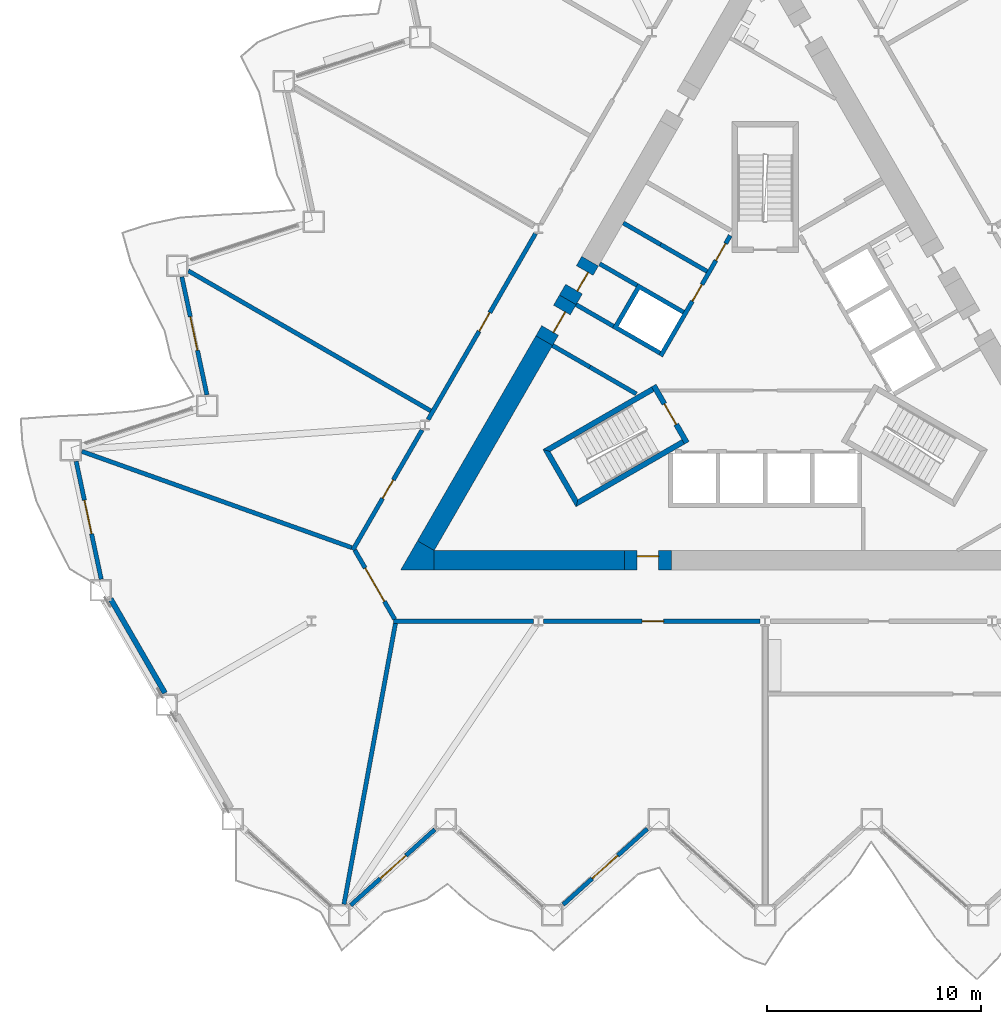
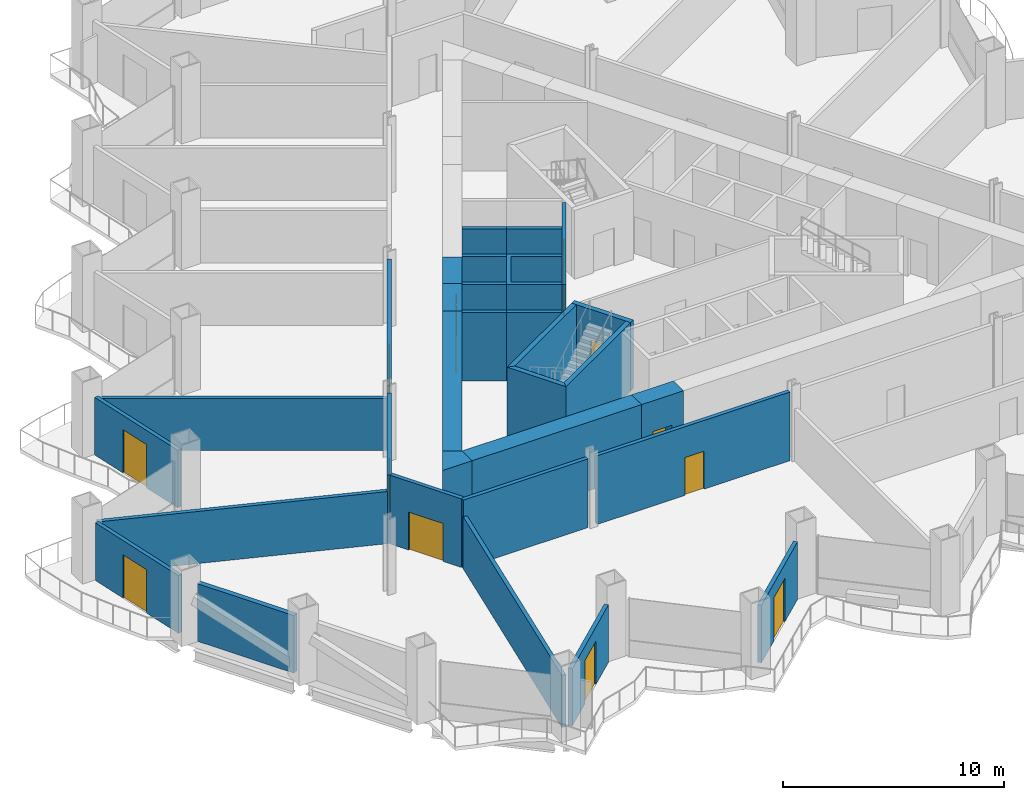
# One storey, part 9 of 21: 31 walls, 14 doors, 14 openings.
"""IFC4 building model written with IfcOpenShell, lengths in metres."""

from ifc_helpers import new_model, si_unit, direction, frame, frame_2d, origin, place, context, subcontext, project, spatial, polyline, rectangle, outline, extrude, material, layer, layer_set, type_object, element, fill, save


model = new_model("IFC4")

# Units and contexts
model_context = context("Model", 3, precision=1e-05, world=origin(), true_north=direction((0.0, 1.0)))
body_context = subcontext(model_context, "Body", "Model", "MODEL_VIEW")
ifc_project = project(units=[si_unit("LENGTHUNIT", "METRE"), si_unit("AREAUNIT", "SQUARE_METRE"), si_unit("VOLUMEUNIT", "CUBIC_METRE"), si_unit("PLANEANGLEUNIT", "RADIAN"), si_unit("MASSUNIT", "GRAM", prefix="KILO")], contexts=[model_context])

# Site, building, storey
site_placement = place(None, origin())
site = spatial("IfcSite", under=ifc_project, at=site_placement, CompositionType="ELEMENT")
building_placement = place(site_placement, origin())
building = spatial("IfcBuilding", under=site, at=building_placement, Name="Cormorant Prow Tower", CompositionType="ELEMENT")
storey_placement = place(building_placement, frame((0.0, 0.0, 76.199951171875)))
storey = spatial("IfcBuildingStorey", under=building, at=storey_placement, Name="L16", CompositionType="ELEMENT", Elevation=76.199951171875)

# Walls
ifc_material_1 = material(Name="Concrete 8000 psi", Category="concrete")
ifc_layer_1 = layer(ifc_material_1, 0.89990234375)
ifc_layer_set_1 = layer_set([ifc_layer_1], Name="Concrete 8000 psi")
wall_type_1 = type_object("IfcWallType", Name="Core shear wall 900", PredefinedType="SHEAR", material=ifc_layer_set_1)
wall_1_placement = place(storey_placement, frame((-15.441162109375, -9.364990234375, 0.0), z_axis=(0.0, 0.0, 1.0), x_axis=(1.0, 0.0, 0.0)))
element("IfcWall", 1, at=wall_1_placement, inside=storey, type_object=wall_type_1, Name="Core wall", PredefinedType="SHEAR", context=body_context, shape_type="SweptSolid", body=[
    extrude(rectangle(XDim=8.87060546875, YDim=0.89990234375, at=frame_2d((4.435302734375, 0.0))), origin(), (0.0, 0.0, 1.0), 3.800048828125),
])
wall_2_placement = place(storey_placement, frame((-10.310302734375, 0.8720703125, 0.0), z_axis=(0.0, 0.0, 1.0), x_axis=(-0.499991697393, -0.866030197244, 0.0)))
element("IfcWall", 2, at=wall_2_placement, inside=storey, type_object=wall_type_1, Name="Core wall", PredefinedType="SHEAR", context=body_context, shape_type="SweptSolid", body=[
    extrude(rectangle(XDim=11.041259765625, YDim=0.89990234375, at=frame_2d((5.5205078125, 0.0))), origin(), (0.0, 0.0, 1.0), 3.800048828125),
])
wall_3_placement = place(storey_placement, origin())
element("IfcWall", 3, at=wall_3_placement, inside=storey, type_object=wall_type_1, Name="Core wall corner", PredefinedType="SHEAR", context=body_context, shape_type="SweptSolid", body=[
    extrude(outline(polyline([(-16.220703125, -8.465087890625), (-15.441162109375, -8.9150390625), (-15.441162109375, -9.81494140625), (-17.0, -9.81494140625), (-16.220703125, -8.465087890625)])), origin(), (0.0, 0.0, 1.0), 3.800048828125),
])

# Wall, opening, door
wall_4_placement = place(storey_placement, frame((-6.570556640625, -9.364990234375, 0.0), z_axis=(0.0, 0.0, 1.0), x_axis=(1.0, 0.0, 0.0)))
wall_4 = element("IfcWall", 4, at=wall_4_placement, inside=storey, type_object=wall_type_1, Name="Core wall door panel", PredefinedType="SHEAR", context=body_context, shape_type="SweptSolid", body=[
    extrude(rectangle(XDim=2.199951171875, YDim=0.89990234375, at=frame_2d((1.10009765625, 0.0))), origin(), (0.0, 0.0, 1.0), 3.800048828125),
])
opening_1_placement = place(wall_4_placement, frame((0.60009765625, 0.0, 0.0)))
opening_1 = element("IfcOpeningElement", 5, at=opening_1_placement, cuts=wall_4, Name="Opening L16-C16", PredefinedType="OPENING", context=body_context, shape_type="SweptSolid", body=[
    extrude(rectangle(XDim=1.0, YDim=2.10009765625, at=frame_2d((0.5, 1.050048828125))), frame((0.0, 0.4599609375, 0.0), z_axis=(0.0, -1.0, 0.0), x_axis=(1.0, 0.0, 0.0)), (0.0, 0.0, 1.0), 0.919921875),
])
ifc_material_2 = material(Name="Painted steel", Category="steel")
door_type_1 = type_object("IfcDoorType", Name="Service door 1000x2100", OperationType="NOTDEFINED", PredefinedType="DOOR", material=ifc_material_2)
door_1_placement = place(opening_1_placement, origin())
door_1 = element("IfcDoor", 6, at=door_1_placement, inside=storey, type_object=door_type_1, Name="Core door, Pantry store", OperationType="SINGLE_SWING_RIGHT", OverallHeight=2.10009765625, OverallWidth=1.0, PredefinedType="DOOR", context=body_context, shape_type="SweptSolid", body=[
    extrude(rectangle(XDim=1.0, YDim=2.10009765625, at=frame_2d((0.5, 1.050048828125))), frame((0.0, 0.205078125, 0.0), z_axis=(0.0, -1.0, 0.0), x_axis=(1.0, 0.0, 0.0)), (0.0, 0.0, 1.0), 0.050048828125),
])
fill(opening_1, door_1)

wall_5_placement = place(storey_placement, frame((-8.17041015625, 4.57861328125, 0.0), z_axis=(0.0, 0.0, 1.0), x_axis=(-0.499888406853, -0.866089822532, 0.0)))
wall_5 = element("IfcWall", 7, at=wall_5_placement, inside=storey, type_object=wall_type_1, Name="Core wall door panel", PredefinedType="SHEAR", context=body_context, shape_type="SweptSolid", body=[
    extrude(rectangle(XDim=2.080078125, YDim=0.89990234375, at=frame_2d((1.0400390625, 0.0))), origin(), (0.0, 0.0, 1.0), 3.800048828125),
])
opening_2_placement = place(wall_5_placement, frame((0.5, 0.0, 0.0)))
opening_2 = element("IfcOpeningElement", 8, at=opening_2_placement, cuts=wall_5, Name="Opening L16-C19", PredefinedType="OPENING", context=body_context, shape_type="SweptSolid", body=[
    extrude(rectangle(XDim=1.0, YDim=2.10009765625, at=frame_2d((0.5, 1.050048828125))), frame((0.0, 0.4599609375, 0.0), z_axis=(0.0, -1.0, 0.0), x_axis=(1.0, 0.0, 0.0)), (0.0, 0.0, 1.0), 0.919921875),
])
door_2_placement = place(opening_2_placement, origin())
door_2 = element("IfcDoor", 9, at=door_2_placement, inside=storey, type_object=door_type_1, Name="Core door, Telecom room", OperationType="SINGLE_SWING_LEFT", OverallHeight=2.10009765625, OverallWidth=1.0, PredefinedType="DOOR", context=body_context, shape_type="SweptSolid", body=[
    extrude(rectangle(XDim=1.0, YDim=2.10009765625, at=frame_2d((0.5, 1.050048828125))), frame((0.0, 0.205078125, 0.0), z_axis=(0.0, -1.0, 0.0), x_axis=(1.0, 0.0, 0.0)), (0.0, 0.0, 1.0), 0.050048828125),
])
fill(opening_2, door_2)

wall_6_placement = place(storey_placement, frame((-9.210205078125, 2.777099609375, 0.0), z_axis=(0.0, 0.0, 1.0), x_axis=(-0.500077893725, -0.86598042715, 0.0)))
wall_6 = element("IfcWall", 10, at=wall_6_placement, inside=storey, type_object=wall_type_1, Name="Core wall door panel", PredefinedType="SHEAR", context=body_context, shape_type="SweptSolid", body=[
    extrude(rectangle(XDim=2.199951171875, YDim=0.89990234375, at=frame_2d((1.10009765625, 0.0))), origin(), (0.0, 0.0, 1.0), 3.800048828125),
])
opening_3_placement = place(wall_6_placement, frame((0.550048828125, 0.0, 0.0)))
opening_3 = element("IfcOpeningElement", 11, at=opening_3_placement, cuts=wall_6, Name="Opening L16-C23", PredefinedType="OPENING", context=body_context, shape_type="SweptSolid", body=[
    extrude(rectangle(XDim=1.10009765625, YDim=2.10009765625, at=frame_2d((0.550048828125, 1.050048828125))), frame((0.0, 0.4599609375, 0.0), z_axis=(0.0, -1.0, 0.0), x_axis=(1.0, 0.0, 0.0)), (0.0, 0.0, 1.0), 0.919921875),
])
ifc_material_3 = material(Name="Painted steel", Category="steel")
door_type_2 = type_object("IfcDoorType", Name="Core door 1100x2100", OperationType="NOTDEFINED", PredefinedType="DOOR", material=ifc_material_3)
door_3_placement = place(opening_3_placement, origin())
door_3 = element("IfcDoor", 12, at=door_3_placement, inside=storey, type_object=door_type_2, Name="Core door, lift lobby", OperationType="SINGLE_SWING_RIGHT", OverallHeight=2.10009765625, OverallWidth=1.10009765625, PredefinedType="DOOR", context=body_context, shape_type="SweptSolid", body=[
    extrude(rectangle(XDim=1.10009765625, YDim=2.10009765625, at=frame_2d((0.550048828125, 1.050048828125))), frame((0.0, 0.205078125, 0.0), z_axis=(0.0, -1.0, 0.0), x_axis=(1.0, 0.0, 0.0)), (0.0, 0.0, 1.0), 0.050048828125),
])
fill(opening_3, door_3)

ifc_material_4 = material(Name="Gypsum board corridor wall")
ifc_layer_2 = layer(ifc_material_4, 0.199951171875)
ifc_layer_set_2 = layer_set([ifc_layer_2], Name="Gypsum board corridor wall")
wall_type_2 = type_object("IfcWallType", Name="Corridor wall 200", PredefinedType="PARTITIONING", material=ifc_layer_set_2)
wall_7_placement = place(storey_placement, frame((-10.336181640625, -12.215087890625, 0.0), z_axis=(0.0, 0.0, 1.0), x_axis=(1.0, 0.0, 0.0)))
wall_7 = element("IfcWall", 13, at=wall_7_placement, inside=storey, type_object=wall_type_2, Name="Corridor wall", PredefinedType="PARTITIONING", context=body_context, shape_type="SweptSolid", body=[
    extrude(rectangle(XDim=10.093994140625, YDim=0.199951171875, at=frame_2d((5.046875, 0.0))), origin(), (0.0, 0.0, 1.0), 3.800048828125),
])
opening_4_placement = place(wall_7_placement, frame((4.597412109375, 0.0, 0.0)))
opening_4 = element("IfcOpeningElement", 14, at=opening_4_placement, cuts=wall_7, Name="Opening L16-F01", PredefinedType="OPENING", context=body_context, shape_type="SweptSolid", body=[
    extrude(rectangle(XDim=1.0, YDim=2.10009765625, at=frame_2d((0.5, 1.050048828125))), frame((0.0, 0.10986328125, 0.0), z_axis=(0.0, -1.0, 0.0), x_axis=(1.0, 0.0, 0.0)), (0.0, 0.0, 1.0), 0.219970703125),
])
ifc_material_5 = material(Name="Timber door leaf", Category="wood")
door_type_3 = type_object("IfcDoorType", Name="Office door 1000x2100", OperationType="NOTDEFINED", PredefinedType="DOOR", material=ifc_material_5)
door_4_placement = place(opening_4_placement, origin())
door_4 = element("IfcDoor", 15, at=door_4_placement, inside=storey, type_object=door_type_3, Name="Tenant suite door", OperationType="SINGLE_SWING_LEFT", OverallHeight=2.10009765625, OverallWidth=1.0, PredefinedType="DOOR", context=body_context, shape_type="SweptSolid", body=[
    extrude(rectangle(XDim=1.0, YDim=2.10009765625, at=frame_2d((0.5, 1.050048828125))), frame((0.0, 0.02490234375, 0.0), z_axis=(0.0, -1.0, 0.0), x_axis=(1.0, 0.0, 0.0)), (0.0, 0.0, 1.0), 0.050048828125),
])
fill(opening_4, door_4)

wall_8_placement = place(storey_placement, frame((-15.727783203125, -2.811279296875, 0.0), z_axis=(0.0, 0.0, 1.0), x_axis=(0.49999175339, 0.866030164915, 0.0)))
wall_8 = element("IfcWall", 16, at=wall_8_placement, inside=storey, type_object=wall_type_2, Name="Corridor wall", PredefinedType="PARTITIONING", context=body_context, shape_type="SweptSolid", body=[
    extrude(rectangle(XDim=10.018798828125, YDim=0.199951171875, at=frame_2d((5.00927734375, 0.0))), origin(), (0.0, 0.0, 1.0), 3.800048828125),
])
opening_5_placement = place(wall_8_placement, frame((4.760009765625, 0.0, 0.0)))
opening_5 = element("IfcOpeningElement", 17, at=opening_5_placement, cuts=wall_8, Name="Opening L16-F15", PredefinedType="OPENING", context=body_context, shape_type="SweptSolid", body=[
    extrude(rectangle(XDim=1.0, YDim=2.10009765625, at=frame_2d((0.5, 1.050048828125))), frame((0.0, 0.10986328125, 0.0), z_axis=(0.0, -1.0, 0.0), x_axis=(1.0, 0.0, 0.0)), (0.0, 0.0, 1.0), 0.219970703125),
])
door_5_placement = place(opening_5_placement, origin())
door_5 = element("IfcDoor", 18, at=door_5_placement, inside=storey, type_object=door_type_3, Name="Co-working room door", OperationType="SINGLE_SWING_LEFT", OverallHeight=2.10009765625, OverallWidth=1.0, PredefinedType="DOOR", context=body_context, shape_type="SweptSolid", body=[
    extrude(rectangle(XDim=1.0, YDim=2.10009765625, at=frame_2d((0.5, 1.050048828125))), frame((0.0, 0.02490234375, 0.0), z_axis=(0.0, -1.0, 0.0), x_axis=(1.0, 0.0, 0.0)), (0.0, 0.0, 1.0), 0.050048828125),
])
fill(opening_5, door_5)

# Wall
wall_9_placement = place(storey_placement, frame((-17.330810546875, -12.215087890625, 0.0), z_axis=(0.0, 0.0, 1.0), x_axis=(1.0, 0.0, 0.0)))
element("IfcWall", 19, at=wall_9_placement, inside=storey, type_object=wall_type_2, Name="Corridor wall", PredefinedType="PARTITIONING", context=body_context, shape_type="SweptSolid", body=[
    extrude(rectangle(XDim=6.510009765625, YDim=0.199951171875, at=frame_2d((3.2548828125, 0.0))), origin(), (0.0, 0.0, 1.0), 3.800048828125),
])

# Wall, opening, door
wall_10_placement = place(storey_placement, frame((-19.243896484375, -8.901611328125, 0.0), z_axis=(0.0, 0.0, 1.0), x_axis=(0.499984737558, 0.86603421538, 0.0)))
wall_10 = element("IfcWall", 20, at=wall_10_placement, inside=storey, type_object=wall_type_2, Name="Corridor wall", PredefinedType="PARTITIONING", context=body_context, shape_type="SweptSolid", body=[
    extrude(rectangle(XDim=6.472900390625, YDim=0.199951171875, at=frame_2d((3.236328125, 0.0))), origin(), (0.0, 0.0, 1.0), 3.800048828125),
])
opening_6_placement = place(wall_10_placement, frame((2.787109375, 0.0, 0.0)))
opening_6 = element("IfcOpeningElement", 21, at=opening_6_placement, cuts=wall_10, Name="Opening L16-F16", PredefinedType="OPENING", context=body_context, shape_type="SweptSolid", body=[
    extrude(rectangle(XDim=1.0, YDim=2.10009765625, at=frame_2d((0.5, 1.050048828125))), frame((0.0, 0.10986328125, 0.0), z_axis=(0.0, -1.0, 0.0), x_axis=(1.0, 0.0, 0.0)), (0.0, 0.0, 1.0), 0.219970703125),
])
door_6_placement = place(opening_6_placement, origin())
door_6 = element("IfcDoor", 22, at=door_6_placement, inside=storey, type_object=door_type_3, Name="Tenant suite door", OperationType="SINGLE_SWING_LEFT", OverallHeight=2.10009765625, OverallWidth=1.0, PredefinedType="DOOR", context=body_context, shape_type="SweptSolid", body=[
    extrude(rectangle(XDim=1.0, YDim=2.10009765625, at=frame_2d((0.5, 1.050048828125))), frame((0.0, 0.02490234375, 0.0), z_axis=(0.0, -1.0, 0.0), x_axis=(1.0, 0.0, 0.0)), (0.0, 0.0, 1.0), 0.050048828125),
])
fill(opening_6, door_6)

wall_11_placement = place(storey_placement, frame((-19.143798828125, -8.901611328125, 0.0), z_axis=(0.0, 0.0, 1.0), x_axis=(0.499958791762, -0.866049194065, 0.0)))
wall_11 = element("IfcWall", 23, at=wall_11_placement, inside=storey, type_object=wall_type_2, Name="Corridor wall", PredefinedType="PARTITIONING", context=body_context, shape_type="SweptSolid", body=[
    extrude(rectangle(XDim=3.725830078125, YDim=0.199951171875, at=frame_2d((1.86279296875, 0.0))), origin(), (0.0, 0.0, 1.0), 3.800048828125),
])
opening_7_placement = place(wall_11_placement, frame((0.962890625, 0.0, 0.0)))
opening_7 = element("IfcOpeningElement", 24, at=opening_7_placement, cuts=wall_11, Name="Opening L16-F17", PredefinedType="OPENING", context=body_context, shape_type="SweptSolid", body=[
    extrude(rectangle(XDim=1.800048828125, YDim=2.10009765625, at=frame_2d((0.89990234375, 1.050048828125))), frame((0.0, 0.10986328125, 0.0), z_axis=(0.0, -1.0, 0.0), x_axis=(1.0, 0.0, 0.0)), (0.0, 0.0, 1.0), 0.219970703125),
])
ifc_material_6 = material(Name="Timber door leaf", Category="wood")
door_type_4 = type_object("IfcDoorType", Name="Double door 1800x2100", OperationType="DOUBLE_DOOR_SINGLE_SWING", PredefinedType="DOOR", material=ifc_material_6)
door_7_placement = place(opening_7_placement, origin())
door_7 = element("IfcDoor", 25, at=door_7_placement, inside=storey, type_object=door_type_4, Name="Open-plan office door", OperationType="DOUBLE_DOOR_SINGLE_SWING", OverallHeight=2.10009765625, OverallWidth=1.800048828125, PredefinedType="DOOR", context=body_context, shape_type="SweptSolid", body=[
    extrude(rectangle(XDim=1.800048828125, YDim=2.10009765625, at=frame_2d((0.89990234375, 1.050048828125))), frame((0.0, 0.02490234375, 0.0), z_axis=(0.0, -1.0, 0.0), x_axis=(1.0, 0.0, 0.0)), (0.0, 0.0, 1.0), 0.050048828125),
])
fill(opening_7, door_7)

# Walls
ifc_material_7 = material(Name="Gypsum board demising wall")
ifc_layer_3 = layer(ifc_material_7, 0.199951171875)
ifc_layer_set_3 = layer_set([ifc_layer_3], Name="Gypsum board demising wall")
wall_type_3 = type_object("IfcWallType", Name="Demising wall 200", PredefinedType="PARTITIONING", material=ifc_layer_set_3)
wall_12_placement = place(storey_placement, frame((-31.87939453125, -4.292724609375, 0.0), z_axis=(0.0, 0.0, 1.0), x_axis=(0.94194008836, -0.33578098508, 0.0)))
element("IfcWall", 26, at=wall_12_placement, inside=storey, type_object=wall_type_3, Name="Demising wall", PredefinedType="PARTITIONING", context=body_context, shape_type="SweptSolid", body=[
    extrude(rectangle(XDim=13.367431640625, YDim=0.199951171875, at=frame_2d((6.68359375, 0.0))), origin(), (0.0, 0.0, 1.0), 2.88525390625),
])
wall_13_placement = place(storey_placement, frame((-19.64990234375, -25.42138671875, 0.0), z_axis=(0.0, 0.0, 1.0), x_axis=(0.180179866985, 0.983633679544, 0.0)))
element("IfcWall", 27, at=wall_13_placement, inside=storey, type_object=wall_type_3, Name="Demising wall", PredefinedType="PARTITIONING", context=body_context, shape_type="SweptSolid", body=[
    extrude(rectangle(XDim=13.326171875, YDim=0.199951171875, at=frame_2d((6.6630859375, 0.0))), origin(), (0.0, 0.0, 1.0), 2.88525390625),
])
wall_14_placement = place(storey_placement, frame((-26.913330078125, 4.12890625, 0.0), z_axis=(0.0, 0.0, 1.0), x_axis=(0.866026475891, -0.499998143053, 0.0)))
element("IfcWall", 28, at=wall_14_placement, inside=storey, type_object=wall_type_3, Name="Demising wall", PredefinedType="PARTITIONING", context=body_context, shape_type="SweptSolid", body=[
    extrude(rectangle(XDim=13.05712890625, YDim=0.199951171875, at=frame_2d((6.528564453125, 0.0))), origin(), (0.0, 0.0, 1.0), 2.88525390625),
])

# Wall, openings, doors
ifc_material_8 = material(Name="Concrete 5000 psi", Category="concrete")
ifc_layer_4 = layer(ifc_material_8, 0.199951171875)
ifc_layer_set_4 = layer_set([ifc_layer_4], Name="Concrete 5000 psi")
wall_type_4 = type_object("IfcWallType", Name="Lift lobby wall 200", PredefinedType="SOLIDWALL", material=ifc_layer_set_4)
wall_15_placement = place(storey_placement, frame((-1.630615234375, 5.775634765625, 0.0), z_axis=(0.0, 0.0, 1.0), x_axis=(-0.499992876559, -0.866029516466, 0.0)))
wall_15 = element("IfcWall", 29, at=wall_15_placement, inside=storey, type_object=wall_type_4, Name="Lift lobby wall, WNW block", PredefinedType="SOLIDWALL", context=body_context, shape_type="SweptSolid", body=[
    extrude(rectangle(XDim=6.486328125, YDim=0.199951171875, at=frame_2d((3.2431640625, 0.0))), origin(), (0.0, 0.0, 1.0), 3.800048828125),
])
opening_8_placement = place(wall_15_placement, frame((0.4365234375, 0.0, 0.0)))
opening_8 = element("IfcOpeningElement", 30, at=opening_8_placement, cuts=wall_15, Name="Opening L16-C09", PredefinedType="OPENING", context=body_context, shape_type="SweptSolid", body=[
    extrude(rectangle(XDim=0.89990234375, YDim=2.10009765625, at=frame_2d((0.449951171875, 1.050048828125))), frame((0.0, 0.10986328125, 0.0), z_axis=(0.0, -1.0, 0.0), x_axis=(1.0, 0.0, 0.0)), (0.0, 0.0, 1.0), 0.219970703125),
])
opening_9_placement = place(wall_15_placement, frame((2.63671875, 0.0, 0.0)))
opening_9 = element("IfcOpeningElement", 31, at=opening_9_placement, cuts=wall_15, Name="Opening L16-C10", PredefinedType="OPENING", context=body_context, shape_type="SweptSolid", body=[
    extrude(rectangle(XDim=0.89990234375, YDim=2.10009765625, at=frame_2d((0.449951171875, 1.050048828125))), frame((0.0, 0.10986328125, 0.0), z_axis=(0.0, -1.0, 0.0), x_axis=(1.0, 0.0, 0.0)), (0.0, 0.0, 1.0), 0.219970703125),
])
ifc_material_9 = material(Name="Painted steel", Category="steel")
door_type_5 = type_object("IfcDoorType", Name="Service door 900x2100", OperationType="NOTDEFINED", PredefinedType="DOOR", material=ifc_material_9)
door_8_placement = place(opening_8_placement, origin())
door_8 = element("IfcDoor", 32, at=door_8_placement, inside=storey, type_object=door_type_5, Name="Service door, Refuse store", OperationType="SINGLE_SWING_LEFT", OverallHeight=2.10009765625, OverallWidth=0.89990234375, PredefinedType="DOOR", context=body_context, shape_type="SweptSolid", body=[
    extrude(rectangle(XDim=0.89990234375, YDim=2.10009765625, at=frame_2d((0.449951171875, 1.050048828125))), frame((0.0, 0.02490234375, 0.0), z_axis=(0.0, -1.0, 0.0), x_axis=(1.0, 0.0, 0.0)), (0.0, 0.0, 1.0), 0.050048828125),
])
fill(opening_8, door_8)
door_9_placement = place(opening_9_placement, origin())
door_9 = element("IfcDoor", 33, at=door_9_placement, inside=storey, type_object=door_type_5, Name="Service door, Pantry store", OperationType="SINGLE_SWING_LEFT", OverallHeight=2.10009765625, OverallWidth=0.89990234375, PredefinedType="DOOR", context=body_context, shape_type="SweptSolid", body=[
    extrude(rectangle(XDim=0.89990234375, YDim=2.10009765625, at=frame_2d((0.449951171875, 1.050048828125))), frame((0.0, 0.02490234375, 0.0), z_axis=(0.0, -1.0, 0.0), x_axis=(1.0, 0.0, 0.0)), (0.0, 0.0, 1.0), 0.050048828125),
])
fill(opening_9, door_9)

# Walls
ifc_material_10 = material(Name="Concrete 8000 psi", Category="concrete")
ifc_layer_5 = layer(ifc_material_10, 0.199951171875)
ifc_layer_set_5 = layer_set([ifc_layer_5], Name="Concrete 8000 psi")
wall_type_5 = type_object("IfcWallType", Name="Lift shaft wall 200", PredefinedType="SHEAR", material=ifc_layer_set_5)
wall_16_placement = place(storey_placement, origin())
element("IfcWall", 34, at=wall_16_placement, inside=storey, type_object=wall_type_5, Name="Lift shaft walls, WNW block", PredefinedType="SHEAR", context=body_context, shape_type="SweptSolid", body=[
    extrude(outline(polyline([(-6.060546875, -1.697021484375), (-8.230712890625, -0.444091796875), (-8.130859375, -0.27099609375), (-5.96044921875, -1.52392578125), (-6.060546875, -1.697021484375)])), origin(), (0.0, 0.0, 1.0), 3.800048828125),
])
wall_17_placement = place(storey_placement, origin())
element("IfcWall", 35, at=wall_17_placement, inside=storey, type_object=wall_type_5, Name="Lift shaft walls, WNW block", PredefinedType="SHEAR", context=body_context, shape_type="SweptSolid", body=[
    extrude(outline(polyline([(-4.96044921875, 0.2080078125), (-7.130859375, 1.461181640625), (-5.930908203125, 3.53955078125), (-3.760498046875, 2.28662109375), (-3.860595703125, 2.11328125), (-5.852294921875, 3.263427734375), (-6.852294921875, 1.53125), (-4.860595703125, 0.38134765625), (-4.96044921875, 0.2080078125)])), origin(), (0.0, 0.0, 1.0), 3.800048828125),
])
wall_18_placement = place(storey_placement, origin())
element("IfcWall", 36, at=wall_18_placement, inside=storey, type_object=wall_type_5, Name="Lift shaft walls, WNW block", PredefinedType="SHEAR", context=body_context, shape_type="SweptSolid", body=[
    extrude(outline(polyline([(-2.760498046875, 4.018798828125), (-4.930908203125, 5.271728515625), (-4.830810546875, 5.44482421875), (-2.660400390625, 4.19189453125), (-2.760498046875, 4.018798828125)])), origin(), (0.0, 0.0, 1.0), 3.800048828125),
])
wall_19_placement = place(storey_placement, frame((-4.880859375, 5.3583984375, 0.0), z_axis=(0.0, 0.0, 1.0), x_axis=(-0.866035824272, 0.499981950752, 0.0)))
element("IfcWall", 37, at=wall_19_placement, inside=storey, type_object=wall_type_5, Name="Store side wall", PredefinedType="SHEAR", context=body_context, shape_type="SweptSolid", body=[
    extrude(rectangle(XDim=2.0087890625, YDim=0.199951171875, at=frame_2d((1.00439453125, 0.0))), origin(), (0.0, 0.0, 1.0), 3.800048828125),
])
wall_20_placement = place(storey_placement, frame((-5.980712890625, 3.452880859375, 0.0), z_axis=(0.0, 0.0, 1.0), x_axis=(-0.866013584312, 0.500020471368, 0.0)))
element("IfcWall", 38, at=wall_20_placement, inside=storey, type_object=wall_type_5, Name="Store side wall", PredefinedType="SHEAR", context=body_context, shape_type="SweptSolid", body=[
    extrude(rectangle(XDim=2.00927734375, YDim=0.199951171875, at=frame_2d((1.004638671875, 0.0))), origin(), (0.0, 0.0, 1.0), 3.800048828125),
])
wall_21_placement = place(storey_placement, frame((-7.080810546875, 1.547607421875, 0.0), z_axis=(0.0, 0.0, 1.0), x_axis=(-0.865983199114, 0.50007309351, 0.0)))
element("IfcWall", 39, at=wall_21_placement, inside=storey, type_object=wall_type_5, Name="Lobby passage wall", PredefinedType="SHEAR", context=body_context, shape_type="SweptSolid", body=[
    extrude(rectangle(XDim=2.009033203125, YDim=0.199951171875, at=frame_2d((1.00439453125, 0.0))), origin(), (0.0, 0.0, 1.0), 3.800048828125),
])
wall_22_placement = place(storey_placement, frame((-8.180908203125, -0.357421875, 0.0), z_axis=(0.0, 0.0, 1.0), x_axis=(-0.866035824272, 0.499981950752, 0.0)))
element("IfcWall", 40, at=wall_22_placement, inside=storey, type_object=wall_type_5, Name="Lobby passage wall", PredefinedType="SHEAR", context=body_context, shape_type="SweptSolid", body=[
    extrude(rectangle(XDim=2.0087890625, YDim=0.199951171875, at=frame_2d((1.00439453125, 0.0))), origin(), (0.0, 0.0, 1.0), 3.800048828125),
])
ifc_material_11 = material(Name="Concrete 8000 psi", Category="concrete")
ifc_layer_6 = layer(ifc_material_11, 0.25)
ifc_layer_set_6 = layer_set([ifc_layer_6], Name="Concrete 8000 psi")
wall_type_6 = type_object("IfcWallType", Name="Stair wall 250", PredefinedType="SHEAR", material=ifc_layer_set_6)
wall_23_placement = place(storey_placement, origin())
element("IfcWall", 41, at=wall_23_placement, inside=storey, type_object=wall_type_6, Name="Stair ST1 enclosure wall (flank)", PredefinedType="SHEAR", context=body_context, shape_type="SweptSolid", body=[
    extrude(outline(polyline([(-5.30712890625, -1.28125), (-10.37353515625, -4.206298828125), (-10.031982421875, -4.2978515625), (-5.18212890625, -1.497802734375), (-5.30712890625, -1.28125)])), origin(), (0.0, 0.0, 1.0), 3.800048828125),
])
wall_24_placement = place(storey_placement, origin())
element("IfcWall", 42, at=wall_24_placement, inside=storey, type_object=wall_type_6, Name="Stair ST1 enclosure wall (end)", PredefinedType="SHEAR", context=body_context, shape_type="SweptSolid", body=[
    extrude(outline(polyline([(-10.37353515625, -4.206298828125), (-8.82958984375, -6.880615234375), (-8.738037109375, -6.5390625), (-10.031982421875, -4.2978515625), (-10.37353515625, -4.206298828125)])), origin(), (0.0, 0.0, 1.0), 3.800048828125),
])
wall_25_placement = place(storey_placement, origin())
element("IfcWall", 43, at=wall_25_placement, inside=storey, type_object=wall_type_6, Name="Stair ST1 enclosure wall (flank)", PredefinedType="SHEAR", context=body_context, shape_type="SweptSolid", body=[
    extrude(outline(polyline([(-8.738037109375, -6.5390625), (-8.82958984375, -6.880615234375), (-3.76318359375, -3.95556640625), (-3.88818359375, -3.739013671875), (-8.738037109375, -6.5390625)])), origin(), (0.0, 0.0, 1.0), 3.800048828125),
])

# Wall, opening, door
wall_26_placement = place(storey_placement, frame((-5.198974609375, -1.21875, 0.0), z_axis=(0.0, 0.0, 1.0), x_axis=(0.499982516597, -0.866035497597, 0.0)))
wall_26 = element("IfcWall", 44, at=wall_26_placement, inside=storey, type_object=wall_type_6, Name="Stair ST1 door wall", PredefinedType="SHEAR", context=body_context, shape_type="SweptSolid", body=[
    extrude(rectangle(XDim=3.087890625, YDim=0.25, at=frame_2d((1.5439453125, 0.0))), origin(), (0.0, 0.0, 1.0), 3.800048828125),
])
opening_10_placement = place(wall_26_placement, frame((0.993896484375, 0.0, 0.0)))
opening_10 = element("IfcOpeningElement", 45, at=opening_10_placement, cuts=wall_26, Name="Opening L16-C12", PredefinedType="OPENING", context=body_context, shape_type="SweptSolid", body=[
    extrude(rectangle(XDim=1.10009765625, YDim=2.10009765625, at=frame_2d((0.550048828125, 1.050048828125))), frame((0.0, 0.135009765625, 0.0), z_axis=(0.0, -1.0, 0.0), x_axis=(1.0, 0.0, 0.0)), (0.0, 0.0, 1.0), 0.27001953125),
])
ifc_material_12 = material(Name="Painted steel", Category="steel")
door_type_6 = type_object("IfcDoorType", Name="Stair door 1100x2100", OperationType="NOTDEFINED", PredefinedType="DOOR", material=ifc_material_12)
door_10_placement = place(opening_10_placement, origin())
door_10 = element("IfcDoor", 46, at=door_10_placement, inside=storey, type_object=door_type_6, Name="Stair ST1 door", OperationType="SINGLE_SWING_LEFT", OverallHeight=2.10009765625, OverallWidth=1.10009765625, PredefinedType="DOOR", context=body_context, shape_type="SweptSolid", body=[
    extrude(rectangle(XDim=1.10009765625, YDim=2.10009765625, at=frame_2d((0.550048828125, 1.050048828125))), frame((0.0, 0.02490234375, 0.0), z_axis=(0.0, -1.0, 0.0), x_axis=(1.0, 0.0, 0.0)), (0.0, 0.0, 1.0), 0.050048828125),
])
fill(opening_10, door_10)

# Wall
ifc_material_13 = material(Name="Terracotta", Category="masonry")
ifc_layer_7 = layer(ifc_material_13, 0.25)
ifc_layer_set_7 = layer_set([ifc_layer_7], Name="Terracotta")
wall_type_7 = type_object("IfcWallType", Name="Terracotta bay wall 250", PredefinedType="SOLIDWALL", material=ifc_layer_set_7)
wall_27_placement = place(storey_placement, frame((-30.540283203125, -11.172119140625, 0.0), z_axis=(0.0, 0.0, 1.0), x_axis=(0.500004250643, -0.866022949661, 0.0)))
element("IfcWall", 47, at=wall_27_placement, inside=storey, type_object=wall_type_7, Name="Terracotta bay wall WSW00", PredefinedType="SOLIDWALL", context=body_context, shape_type="SweptSolid", body=[
    extrude(rectangle(XDim=5.07470703125, YDim=0.25, at=frame_2d((2.537353515625, 0.0))), origin(), (0.0, 0.0, 1.0), 3.18896484375),
])

# Wall, opening, door
ifc_material_14 = material(Name="Terracotta", Category="masonry")
ifc_layer_8 = layer(ifc_material_14, 0.199951171875)
ifc_layer_set_8 = layer_set([ifc_layer_8], Name="Terracotta")
wall_type_8 = type_object("IfcWallType", Name="Terracotta jamb wall 200", PredefinedType="SOLIDWALL", material=ifc_layer_set_8)
wall_28_placement = place(storey_placement, frame((-19.33740234375, -25.4658203125, 0.0), z_axis=(0.0, 0.0, 1.0), x_axis=(0.743124116755, 0.669153605009, 0.0)))
wall_28 = element("IfcWall", 48, at=wall_28_placement, inside=storey, type_object=wall_type_8, Name="Terracotta jamb wall S01", PredefinedType="SOLIDWALL", context=body_context, shape_type="SweptSolid", body=[
    extrude(rectangle(XDim=5.2841796875, YDim=0.199951171875, at=frame_2d((2.64208984375, 0.0))), origin(), (0.0, 0.0, 1.0), 3.18896484375),
])
opening_11_placement = place(wall_28_placement, frame((1.863037109375, 0.0, 0.0)))
opening_11 = element("IfcOpeningElement", 49, at=opening_11_placement, cuts=wall_28, Name="Opening ED16.01", PredefinedType="OPENING", context=body_context, shape_type="SweptSolid", body=[
    extrude(rectangle(XDim=1.60009765625, YDim=2.39990234375, at=frame_2d((0.800048828125, 1.199951171875))), frame((0.0, 0.10986328125, 0.0), z_axis=(0.0, -1.0, 0.0), x_axis=(1.0, 0.0, 0.0)), (0.0, 0.0, 1.0), 0.219970703125),
])
ifc_material_15 = material(Name="Aluminium 6063-T6", Category="aluminium")
door_type_7 = type_object("IfcDoorType", Name="Balcony door 1600x2400", OperationType="DOUBLE_DOOR_SINGLE_SWING", PredefinedType="DOOR", material=ifc_material_15)
door_11_placement = place(opening_11_placement, origin())
door_11 = element("IfcDoor", 50, at=door_11_placement, inside=storey, type_object=door_type_7, Name="Balcony door S01 ED16.01", OperationType="DOUBLE_DOOR_SINGLE_SWING", OverallHeight=2.39990234375, OverallWidth=1.60009765625, PredefinedType="DOOR", context=body_context, shape_type="SweptSolid", body=[
    extrude(rectangle(XDim=1.60009765625, YDim=2.39990234375, at=frame_2d((0.800048828125, 1.199951171875))), frame((0.0, 0.02490234375, 0.0), z_axis=(0.0, -1.0, 0.0), x_axis=(1.0, 0.0, 0.0)), (0.0, 0.0, 1.0), 0.050048828125),
])
fill(opening_11, door_11)

wall_29_placement = place(storey_placement, frame((-9.42529296875, -25.4375, 0.0), z_axis=(0.0, 0.0, 1.0), x_axis=(0.743133366749, 0.669143332347, 0.0)))
wall_29 = element("IfcWall", 51, at=wall_29_placement, inside=storey, type_object=wall_type_8, Name="Terracotta jamb wall S03", PredefinedType="SOLIDWALL", context=body_context, shape_type="SweptSolid", body=[
    extrude(rectangle(XDim=5.2861328125, YDim=0.199951171875, at=frame_2d((2.64306640625, 0.0))), origin(), (0.0, 0.0, 1.0), 3.18896484375),
])
opening_12_placement = place(wall_29_placement, frame((1.821044921875, 0.0, 0.0)))
opening_12 = element("IfcOpeningElement", 52, at=opening_12_placement, cuts=wall_29, Name="Opening ED16.02", PredefinedType="OPENING", context=body_context, shape_type="SweptSolid", body=[
    extrude(rectangle(XDim=1.60009765625, YDim=2.39990234375, at=frame_2d((0.800048828125, 1.199951171875))), frame((0.0, 0.10986328125, 0.0), z_axis=(0.0, -1.0, 0.0), x_axis=(1.0, 0.0, 0.0)), (0.0, 0.0, 1.0), 0.219970703125),
])
door_12_placement = place(opening_12_placement, origin())
door_12 = element("IfcDoor", 53, at=door_12_placement, inside=storey, type_object=door_type_7, Name="Balcony door S03 ED16.02", OperationType="DOUBLE_DOOR_SINGLE_SWING", OverallHeight=2.39990234375, OverallWidth=1.60009765625, PredefinedType="DOOR", context=body_context, shape_type="SweptSolid", body=[
    extrude(rectangle(XDim=1.60009765625, YDim=2.39990234375, at=frame_2d((0.800048828125, 1.199951171875))), frame((0.0, 0.02490234375, 0.0), z_axis=(0.0, -1.0, 0.0), x_axis=(1.0, 0.0, 0.0)), (0.0, 0.0, 1.0), 0.050048828125),
])
fill(opening_12, door_12)

wall_30_placement = place(storey_placement, frame((-27.21484375, 3.84765625, 0.0), z_axis=(0.0, 0.0, 1.0), x_axis=(0.207901831982, -0.978149696242, 0.0)))
wall_30 = element("IfcWall", 54, at=wall_30_placement, inside=storey, type_object=wall_type_8, Name="Terracotta jamb wall WNW07", PredefinedType="SOLIDWALL", context=body_context, shape_type="SweptSolid", body=[
    extrude(rectangle(XDim=5.626220703125, YDim=0.199951171875, at=frame_2d((2.81298828125, 0.0))), origin(), (0.0, 0.0, 1.0), 3.18896484375),
])
opening_13_placement = place(wall_30_placement, frame((1.903076171875, 0.0, 0.0)))
opening_13 = element("IfcOpeningElement", 55, at=opening_13_placement, cuts=wall_30, Name="Opening ED16.14", PredefinedType="OPENING", context=body_context, shape_type="SweptSolid", body=[
    extrude(rectangle(XDim=1.60009765625, YDim=2.39990234375, at=frame_2d((0.800048828125, 1.199951171875))), frame((0.0, 0.10986328125, 0.0), z_axis=(0.0, -1.0, 0.0), x_axis=(1.0, 0.0, 0.0)), (0.0, 0.0, 1.0), 0.219970703125),
])
door_13_placement = place(opening_13_placement, origin())
door_13 = element("IfcDoor", 56, at=door_13_placement, inside=storey, type_object=door_type_7, Name="Balcony door WNW07 ED16.14", OperationType="DOUBLE_DOOR_SINGLE_SWING", OverallHeight=2.39990234375, OverallWidth=1.60009765625, PredefinedType="DOOR", context=body_context, shape_type="SweptSolid", body=[
    extrude(rectangle(XDim=1.60009765625, YDim=2.39990234375, at=frame_2d((0.800048828125, 1.199951171875))), frame((0.0, 0.02490234375, 0.0), z_axis=(0.0, -1.0, 0.0), x_axis=(1.0, 0.0, 0.0)), (0.0, 0.0, 1.0), 0.050048828125),
])
fill(opening_13, door_13)

wall_31_placement = place(storey_placement, frame((-32.145751953125, -4.75390625, 0.0), z_axis=(0.0, 0.0, 1.0), x_axis=(0.207901831982, -0.978149696242, 0.0)))
wall_31 = element("IfcWall", 57, at=wall_31_placement, inside=storey, type_object=wall_type_8, Name="Terracotta jamb wall WNW09", PredefinedType="SOLIDWALL", context=body_context, shape_type="SweptSolid", body=[
    extrude(rectangle(XDim=5.626220703125, YDim=0.199951171875, at=frame_2d((2.81298828125, 0.0))), origin(), (0.0, 0.0, 1.0), 3.18896484375),
])
opening_14_placement = place(wall_31_placement, frame((1.857666015625, 0.0, 0.0)))
opening_14 = element("IfcOpeningElement", 58, at=opening_14_placement, cuts=wall_31, Name="Opening ED16.15", PredefinedType="OPENING", context=body_context, shape_type="SweptSolid", body=[
    extrude(rectangle(XDim=1.60009765625, YDim=2.39990234375, at=frame_2d((0.800048828125, 1.199951171875))), frame((0.0, 0.10986328125, 0.0), z_axis=(0.0, -1.0, 0.0), x_axis=(1.0, 0.0, 0.0)), (0.0, 0.0, 1.0), 0.219970703125),
])
door_14_placement = place(opening_14_placement, origin())
door_14 = element("IfcDoor", 59, at=door_14_placement, inside=storey, type_object=door_type_7, Name="Balcony door WNW09 ED16.15", OperationType="DOUBLE_DOOR_SINGLE_SWING", OverallHeight=2.39990234375, OverallWidth=1.60009765625, PredefinedType="DOOR", context=body_context, shape_type="SweptSolid", body=[
    extrude(rectangle(XDim=1.60009765625, YDim=2.39990234375, at=frame_2d((0.800048828125, 1.199951171875))), frame((0.0, 0.02490234375, 0.0), z_axis=(0.0, -1.0, 0.0), x_axis=(1.0, 0.0, 0.0)), (0.0, 0.0, 1.0), 0.050048828125),
])
fill(opening_14, door_14)

save(model, "model.ifc")
